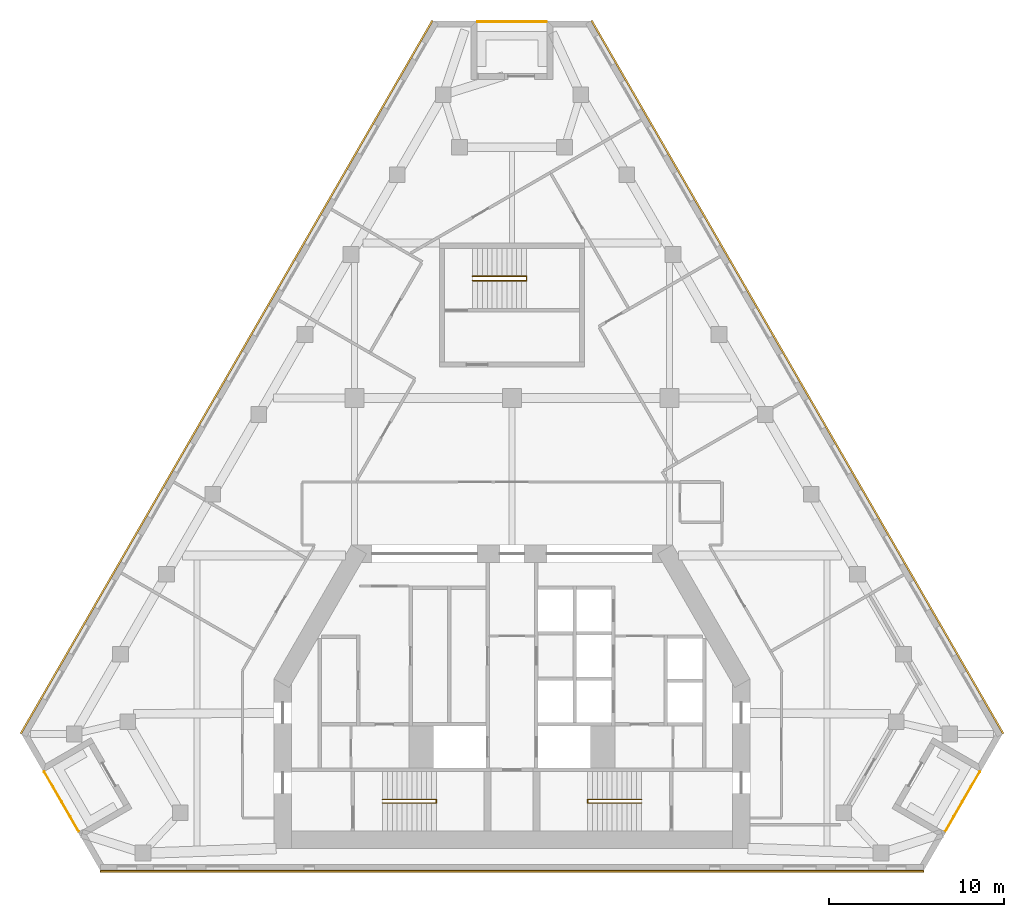
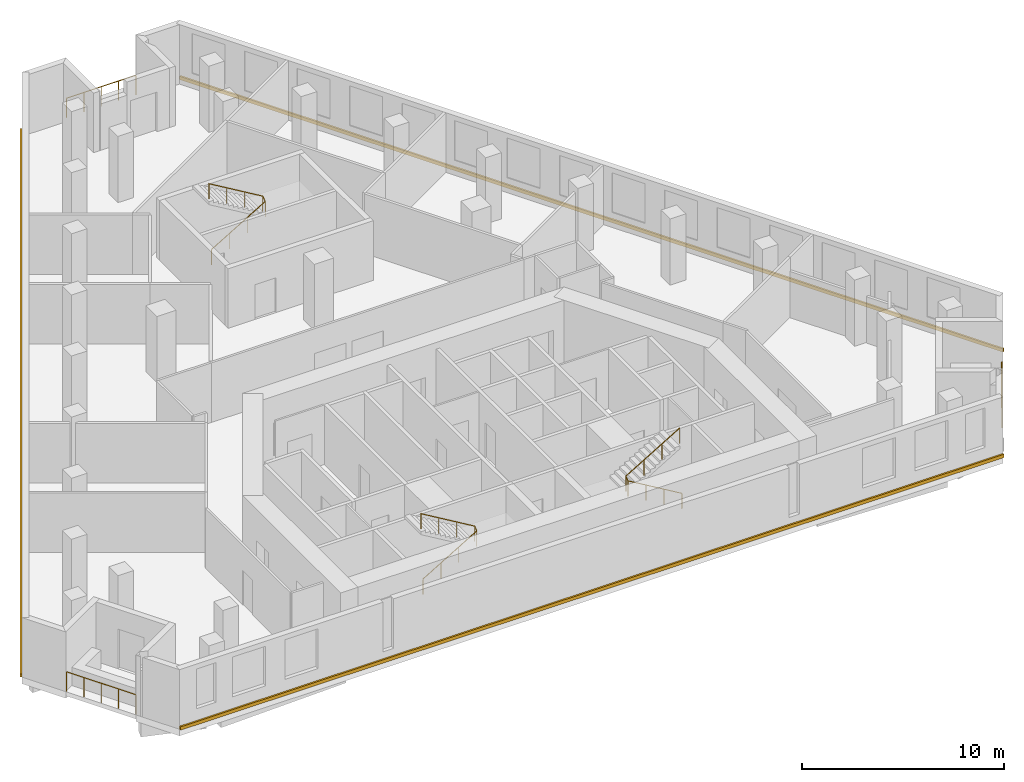
# One storey, part 9 of 9: 6 railings, 3 coverings.
"""IFC4 building model written with IfcOpenShell, lengths in metres."""

from ifc_helpers import new_model, si_unit, direction, frame, origin, origin_2d, place, context, subcontext, project, spatial, polyline, circle, outline, extrude, material, type_object, element, save


model = new_model("IFC4")

# Units and contexts
model_context = context("Model", 3, precision=1e-05, world=origin(), true_north=direction((0.0, 1.0)))
body_context = subcontext(model_context, "Body", "Model", "MODEL_VIEW")
ifc_project = project(units=[si_unit("LENGTHUNIT", "METRE"), si_unit("AREAUNIT", "SQUARE_METRE"), si_unit("VOLUMEUNIT", "CUBIC_METRE"), si_unit("PLANEANGLEUNIT", "RADIAN"), si_unit("MASSUNIT", "GRAM", prefix="KILO")], contexts=[model_context])

# Site, building, storey
site_placement = place(None, origin())
site = spatial("IfcSite", under=ifc_project, at=site_placement, CompositionType="ELEMENT")
building_placement = place(site_placement, origin())
building = spatial("IfcBuilding", under=site, at=building_placement, Name="Fogline Exchange Tower", CompositionType="ELEMENT")
storey_placement = place(building_placement, frame((0.0, 0.0, 186.10009765625)))
storey = spatial("IfcBuildingStorey", under=building, at=storey_placement, Name="L41", CompositionType="ELEMENT", Elevation=186.10009765625)

# Railings
ifc_material_1 = material(Name="Stainless steel 304", Category="steel")
railing_type_1 = type_object("IfcRailingType", Name="G1", PredefinedType="GUARDRAIL", material=ifc_material_1)
railing_1_placement = place(storey_placement, frame((-26.7275390625, 5.635986328125, 0.0)))
element("IfcRailing", 1, at=railing_1_placement, inside=storey, type_object=railing_type_1, Name="Balcony guard L41 SW", PredefinedType="GUARDRAIL", context=body_context, shape_type="SweptSolid", body=[
    extrude(circle(Radius=0.02392578125, at=origin_2d()), frame((0.0, 0.0, 1.17578125), z_axis=(0.500000102728, -0.866025344474, 0.0), x_axis=(0.866025344474, 0.500000102728, 0.0)), (0.0, 0.0, 1.0), 3.9580078125),
    extrude(circle(Radius=0.02099609375, at=origin_2d()), origin(), (0.0, 0.0, 1.0), 1.15185546875),
    extrude(circle(Radius=0.02099609375, at=origin_2d()), frame((0.49462890625, -0.85693359375, 0.0)), (0.0, 0.0, 1.0), 1.15185546875),
    extrude(circle(Radius=0.02099609375, at=origin_2d()), frame((0.989501953125, -1.7138671875, 0.0)), (0.0, 0.0, 1.0), 1.15185546875),
    extrude(circle(Radius=0.02099609375, at=origin_2d()), frame((1.484375, -2.57080078125, 0.0)), (0.0, 0.0, 1.0), 1.15185546875),
    extrude(circle(Radius=0.02099609375, at=origin_2d()), frame((1.97900390625, -3.427734375, 0.0)), (0.0, 0.0, 1.0), 1.15185546875),
])
railing_2_placement = place(storey_placement, frame((24.74853515625, 2.208251953125, 0.0)))
element("IfcRailing", 2, at=railing_2_placement, inside=storey, type_object=railing_type_1, Name="Balcony guard L41 SE", PredefinedType="GUARDRAIL", context=body_context, shape_type="SweptSolid", body=[
    extrude(circle(Radius=0.02392578125, at=origin_2d()), frame((0.0, 0.0, 1.17578125), z_axis=(0.500000102728, 0.866025344474, 0.0), x_axis=(-0.866025344474, 0.500000102728, 0.0)), (0.0, 0.0, 1.0), 3.9580078125),
    extrude(circle(Radius=0.02099609375, at=origin_2d()), origin(), (0.0, 0.0, 1.0), 1.15185546875),
    extrude(circle(Radius=0.02099609375, at=origin_2d()), frame((0.49462890625, 0.85693359375, 0.0)), (0.0, 0.0, 1.0), 1.15185546875),
    extrude(circle(Radius=0.02099609375, at=origin_2d()), frame((0.989501953125, 1.7138671875, 0.0)), (0.0, 0.0, 1.0), 1.15185546875),
    extrude(circle(Radius=0.02099609375, at=origin_2d()), frame((1.484375, 2.57080078125, 0.0)), (0.0, 0.0, 1.0), 1.15185546875),
    extrude(circle(Radius=0.02099609375, at=origin_2d()), frame((1.97900390625, 3.427734375, 0.0)), (0.0, 0.0, 1.0), 1.15185546875),
])
railing_3_placement = place(storey_placement, frame((1.97900390625, 48.501708984375, 0.0)))
element("IfcRailing", 3, at=railing_3_placement, inside=storey, type_object=railing_type_1, Name="Balcony guard L41 N", PredefinedType="GUARDRAIL", context=body_context, shape_type="SweptSolid", body=[
    extrude(circle(Radius=0.02392578125, at=origin_2d()), frame((0.0, 0.0, 1.17578125), z_axis=(-1.0, 0.0, 0.0), x_axis=(0.0, -1.0, 0.0)), (0.0, 0.0, 1.0), 3.9580078125),
    extrude(circle(Radius=0.02099609375, at=origin_2d()), origin(), (0.0, 0.0, 1.0), 1.15185546875),
    extrude(circle(Radius=0.02099609375, at=origin_2d()), frame((-0.989501953125, 0.0, 0.0)), (0.0, 0.0, 1.0), 1.15185546875),
    extrude(circle(Radius=0.02099609375, at=origin_2d()), frame((-1.97900390625, 0.0, 0.0)), (0.0, 0.0, 1.0), 1.15185546875),
    extrude(circle(Radius=0.02099609375, at=origin_2d()), frame((-2.968505859375, 0.0, 0.0)), (0.0, 0.0, 1.0), 1.15185546875),
    extrude(circle(Radius=0.02099609375, at=origin_2d()), frame((-3.9580078125, 0.0, 0.0)), (0.0, 0.0, 1.0), 1.15185546875),
])
ifc_material_2 = material(Name="Steel Q235B", Category="steel")
railing_type_2 = type_object("IfcRailingType", Name="RL-HR", PredefinedType="HANDRAIL", material=ifc_material_2)
railing_4_placement = place(storey_placement, frame((-7.39990234375, 3.85009765625, 0.16650390625)))
element("IfcRailing", 4, at=railing_4_placement, inside=storey, type_object=railing_type_2, Name="Handrail ST1", PredefinedType="HANDRAIL", context=body_context, shape_type="SweptSolid", body=[
    extrude(circle(Radius=0.02392578125, at=origin_2d()), frame((0.0, 0.0, 0.92578125), z_axis=(0.859260807169, 0.0, 0.511537745687), x_axis=(0.0, 1.0, 0.0)), (0.0, 0.0, 1.0), 3.584228515625),
    extrude(circle(Radius=0.02392578125, at=origin_2d()), frame((3.079833984375, 0.0, 2.75927734375), z_axis=(0.0, 0.768451954486, 0.639907488351), x_axis=(-1.0, 0.0, 0.0)), (0.0, 0.0, 1.0), 0.26025390625),
    extrude(circle(Radius=0.02392578125, at=origin_2d()), frame((3.079833984375, 0.199951171875, 2.92578125), z_axis=(-0.859260807169, 0.0, 0.511537745687), x_axis=(0.0, -1.0, 0.0)), (0.0, 0.0, 1.0), 3.584228515625),
    extrude(circle(Radius=0.02099609375, at=origin_2d()), origin(), (0.0, 0.0, 1.0), 0.90185546875),
    extrude(circle(Radius=0.02099609375, at=origin_2d()), frame((1.026611328125, 0.0, 0.611083984375)), (0.0, 0.0, 1.0), 0.90185546875),
    extrude(circle(Radius=0.02099609375, at=origin_2d()), frame((2.05322265625, 0.0, 1.222412109375)), (0.0, 0.0, 1.0), 0.90185546875),
    extrude(circle(Radius=0.02099609375, at=origin_2d()), frame((3.079833984375, 0.0, 1.83349609375)), (0.0, 0.0, 1.0), 0.90185546875),
    extrude(circle(Radius=0.02099609375, at=origin_2d()), frame((3.079833984375, 0.199951171875, 2.0)), (0.0, 0.0, 1.0), 0.90185546875),
    extrude(circle(Radius=0.02099609375, at=origin_2d()), frame((2.05322265625, 0.199951171875, 2.611083984375)), (0.0, 0.0, 1.0), 0.90185546875),
    extrude(circle(Radius=0.02099609375, at=origin_2d()), frame((1.026611328125, 0.199951171875, 3.222412109375)), (0.0, 0.0, 1.0), 0.90185546875),
    extrude(circle(Radius=0.02099609375, at=origin_2d()), frame((0.0, 0.199951171875, 3.83349609375)), (0.0, 0.0, 1.0), 0.90185546875),
])
railing_5_placement = place(storey_placement, frame((7.39990234375, 3.85009765625, 0.16650390625)))
element("IfcRailing", 5, at=railing_5_placement, inside=storey, type_object=railing_type_2, Name="Handrail ST2", PredefinedType="HANDRAIL", context=body_context, shape_type="SweptSolid", body=[
    extrude(circle(Radius=0.02392578125, at=origin_2d()), frame((0.0, 0.0, 0.92578125), z_axis=(-0.859260807169, 0.0, 0.511537745687), x_axis=(0.0, -1.0, 0.0)), (0.0, 0.0, 1.0), 3.584228515625),
    extrude(circle(Radius=0.02392578125, at=origin_2d()), frame((-3.079833984375, 0.0, 2.75927734375), z_axis=(0.0, 0.768451954486, 0.639907488351), x_axis=(-1.0, 0.0, 0.0)), (0.0, 0.0, 1.0), 0.26025390625),
    extrude(circle(Radius=0.02392578125, at=origin_2d()), frame((-3.079833984375, 0.199951171875, 2.92578125), z_axis=(0.859260807169, 0.0, 0.511537745687), x_axis=(0.0, 1.0, 0.0)), (0.0, 0.0, 1.0), 3.584228515625),
    extrude(circle(Radius=0.02099609375, at=origin_2d()), origin(), (0.0, 0.0, 1.0), 0.90185546875),
    extrude(circle(Radius=0.02099609375, at=origin_2d()), frame((-1.026611328125, 0.0, 0.611083984375)), (0.0, 0.0, 1.0), 0.90185546875),
    extrude(circle(Radius=0.02099609375, at=origin_2d()), frame((-2.05322265625, 0.0, 1.222412109375)), (0.0, 0.0, 1.0), 0.90185546875),
    extrude(circle(Radius=0.02099609375, at=origin_2d()), frame((-3.079833984375, 0.0, 1.83349609375)), (0.0, 0.0, 1.0), 0.90185546875),
    extrude(circle(Radius=0.02099609375, at=origin_2d()), frame((-3.079833984375, 0.199951171875, 2.0)), (0.0, 0.0, 1.0), 0.90185546875),
    extrude(circle(Radius=0.02099609375, at=origin_2d()), frame((-2.05322265625, 0.199951171875, 2.611083984375)), (0.0, 0.0, 1.0), 0.90185546875),
    extrude(circle(Radius=0.02099609375, at=origin_2d()), frame((-1.026611328125, 0.199951171875, 3.222412109375)), (0.0, 0.0, 1.0), 0.90185546875),
    extrude(circle(Radius=0.02099609375, at=origin_2d()), frame((0.0, 0.199951171875, 3.83349609375)), (0.0, 0.0, 1.0), 0.90185546875),
])
railing_6_placement = place(storey_placement, frame((-2.25, 33.70703125, 0.16650390625)))
element("IfcRailing", 6, at=railing_6_placement, inside=storey, type_object=railing_type_2, Name="Handrail ST3", PredefinedType="HANDRAIL", context=body_context, shape_type="SweptSolid", body=[
    extrude(circle(Radius=0.02392578125, at=origin_2d()), frame((0.0, 0.0, 0.92578125), z_axis=(0.85927862911, 0.0, 0.511507807912), x_axis=(0.0, 1.0, 0.0)), (0.0, 0.0, 1.0), 3.58447265625),
    extrude(circle(Radius=0.02392578125, at=origin_2d()), frame((3.080078125, 0.0, 2.75927734375), z_axis=(0.0, 0.832300300006, 0.554325004496), x_axis=(-1.0, 0.0, 0.0)), (0.0, 0.0, 1.0), 0.30029296875),
    extrude(circle(Radius=0.02392578125, at=origin_2d()), frame((3.080078125, 0.25, 2.92578125), z_axis=(-0.85927862911, 0.0, 0.511507807912), x_axis=(0.0, -1.0, 0.0)), (0.0, 0.0, 1.0), 3.58447265625),
    extrude(circle(Radius=0.02099609375, at=origin_2d()), origin(), (0.0, 0.0, 1.0), 0.90185546875),
    extrude(circle(Radius=0.02099609375, at=origin_2d()), frame((1.026611328125, 0.0, 0.611083984375)), (0.0, 0.0, 1.0), 0.90185546875),
    extrude(circle(Radius=0.02099609375, at=origin_2d()), frame((2.053466796875, 0.0, 1.222412109375)), (0.0, 0.0, 1.0), 0.90185546875),
    extrude(circle(Radius=0.02099609375, at=origin_2d()), frame((3.080078125, 0.0, 1.83349609375)), (0.0, 0.0, 1.0), 0.90185546875),
    extrude(circle(Radius=0.02099609375, at=origin_2d()), frame((3.080078125, 0.25, 2.0)), (0.0, 0.0, 1.0), 0.90185546875),
    extrude(circle(Radius=0.02099609375, at=origin_2d()), frame((2.053466796875, 0.25, 2.611083984375)), (0.0, 0.0, 1.0), 0.90185546875),
    extrude(circle(Radius=0.02099609375, at=origin_2d()), frame((1.026611328125, 0.25, 3.222412109375)), (0.0, 0.0, 1.0), 0.90185546875),
    extrude(circle(Radius=0.02099609375, at=origin_2d()), frame((0.0, 0.25, 3.83349609375)), (0.0, 0.0, 1.0), 0.90185546875),
])

# Coverings
ifc_material_3 = material(Name="Brick masonry", Category="masonry")
covering_type = type_object("IfcCoveringType", Name="SB1", PredefinedType="CLADDING", material=ifc_material_3)
covering_1_placement = place(storey_placement, origin())
element("IfcCovering", 7, at=covering_1_placement, inside=storey, type_object=covering_type, Name="Stringcourse band L41 S", PredefinedType="CLADDING", context=body_context, shape_type="SweptSolid", body=[
    extrude(outline(polyline([(-23.53125, 0.0), (-23.53125, -0.10009765625), (23.53125, -0.10009765625), (23.53125, 0.0), (-23.53125, 0.0)])), origin(), (0.0, 0.0, 1.0), 0.199951171875),
])
covering_2_placement = place(storey_placement, origin())
element("IfcCovering", 8, at=covering_2_placement, inside=storey, type_object=covering_type, Name="Stringcourse band L41 E", PredefinedType="CLADDING", context=body_context, shape_type="SweptSolid", body=[
    extrude(outline(polyline([(28.03125, 7.794189453125), (28.117919921875, 7.84423828125), (4.586669921875, 48.601806640625), (4.5, 48.5517578125), (28.03125, 7.794189453125)])), origin(), (0.0, 0.0, 1.0), 0.199951171875),
])
covering_3_placement = place(storey_placement, origin())
element("IfcCovering", 9, at=covering_3_placement, inside=storey, type_object=covering_type, Name="Stringcourse band L41 W", PredefinedType="CLADDING", context=body_context, shape_type="SweptSolid", body=[
    extrude(outline(polyline([(-4.5, 48.5517578125), (-4.586669921875, 48.601806640625), (-28.117919921875, 7.84423828125), (-28.03125, 7.794189453125), (-4.5, 48.5517578125)])), origin(), (0.0, 0.0, 1.0), 0.199951171875),
])

save(model, "model.ifc")
